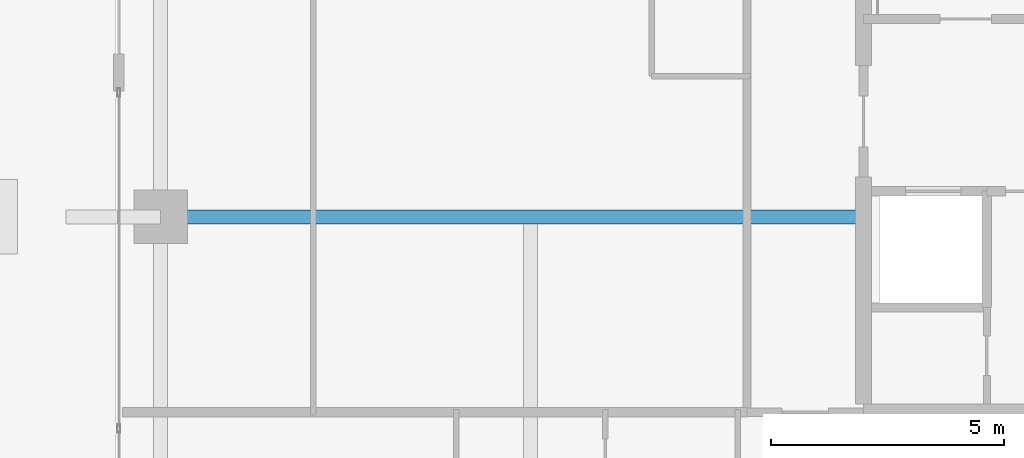
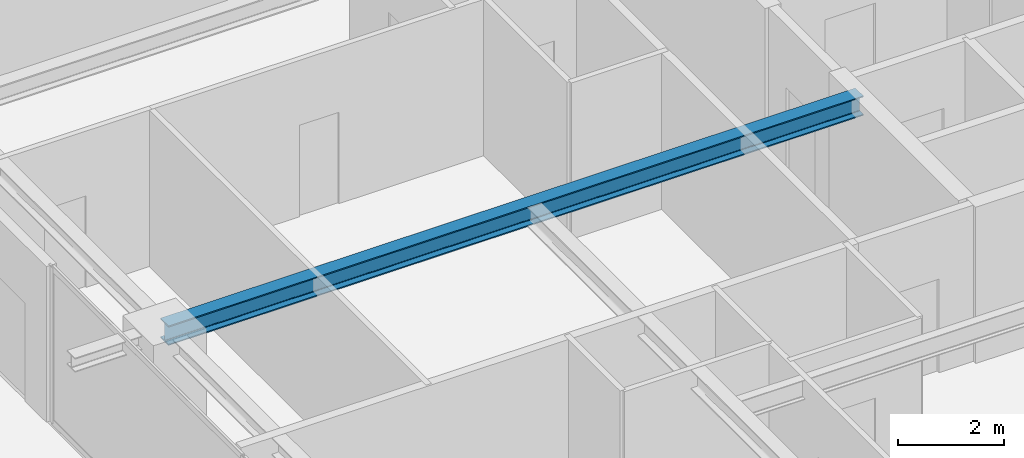
# One storey, part 9 of 36: 1 beam.
"""IFC4 building model written with IfcOpenShell, lengths in metres."""

from ifc_helpers import new_model, si_unit, direction, frame, origin, origin_2d, place, context, subcontext, project, spatial, i_section, extrude, source, transform, mapped, material, material_profile, profile_set, type_object, element, save


model = new_model("IFC4")

# Units and contexts
model_context = context("Model", 3, precision=1e-05, world=origin(), true_north=direction((0.0, 1.0)))
body_context = subcontext(model_context, "Body", "Model", "MODEL_VIEW")
ifc_project = project(units=[si_unit("LENGTHUNIT", "METRE"), si_unit("AREAUNIT", "SQUARE_METRE"), si_unit("VOLUMEUNIT", "CUBIC_METRE"), si_unit("PLANEANGLEUNIT", "RADIAN"), si_unit("MASSUNIT", "GRAM", prefix="KILO")], contexts=[model_context])

# Site, building, storey
site_placement = place(None, origin())
site = spatial("IfcSite", under=ifc_project, at=site_placement, CompositionType="ELEMENT")
building_placement = place(site_placement, origin())
building = spatial("IfcBuilding", under=site, at=building_placement, Name="Serunith Strait Residences", CompositionType="ELEMENT")
storey_placement = place(building_placement, frame((0.0, 0.0, 225.85009765625)))
storey = spatial("IfcBuildingStorey", under=building, at=storey_placement, Name="L56", CompositionType="ELEMENT", Elevation=225.85009765625)

# Beam
ifc_material = material(Name="Steel S355J2", Category="steel")
ifc_material_profile = material_profile(ifc_material, i_section(OverallWidth=0.300048828125, OverallDepth=0.449951171875, WebThickness=0.013916015625, FlangeThickness=0.02587890625, FilletRadius=0.027099609375, at=origin_2d()), Name="HEB 450")
ifc_profile_set = profile_set([ifc_material_profile], Name="Steel S355J2")
beam_type = type_object("IfcBeamType", Name="BM-HEB450", PredefinedType="BEAM", material=ifc_profile_set)
shared_shape = source(origin(), body_context, "Body", "SweptSolid", [
    extrude(i_section(OverallWidth=0.300048828125, OverallDepth=0.449951171875, WebThickness=0.013916015625, FlangeThickness=0.02587890625, FilletRadius=0.027099609375, at=origin_2d()), origin(), (0.0, 0.0, 1.0), 15.099853515625),
])
beam_placement = place(storey_placement, frame((23.39990234375, 21.0, 3.36181640625), z_axis=(-1.0, 0.0, 0.0), x_axis=(0.0, -1.0, 0.0)))
element("IfcBeam", 1, at=beam_placement, inside=storey, type_object=beam_type, Name="L56 Primary Floor Girder TC-W2", PredefinedType="BEAM", context=body_context, shape_type="MappedRepresentation", body=[
    mapped(shared_shape, transform((0.0, 0.0, 0.0), scale=1.0)),
])

save(model, "model.ifc")
